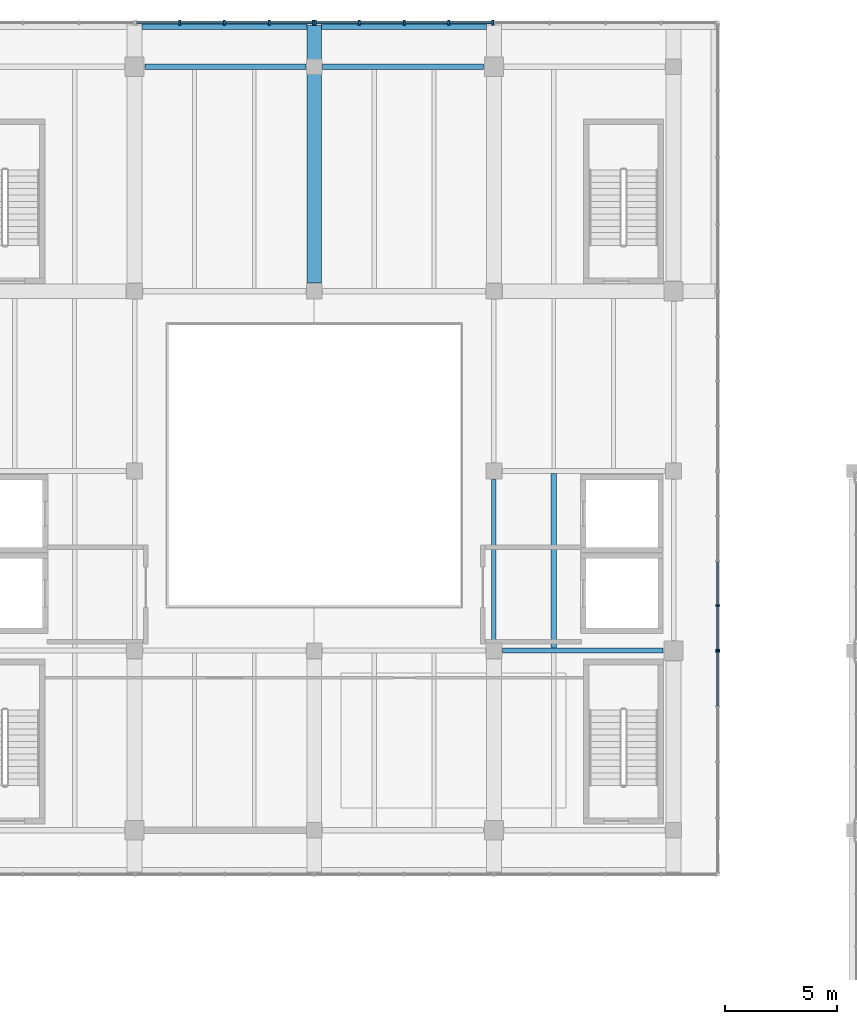
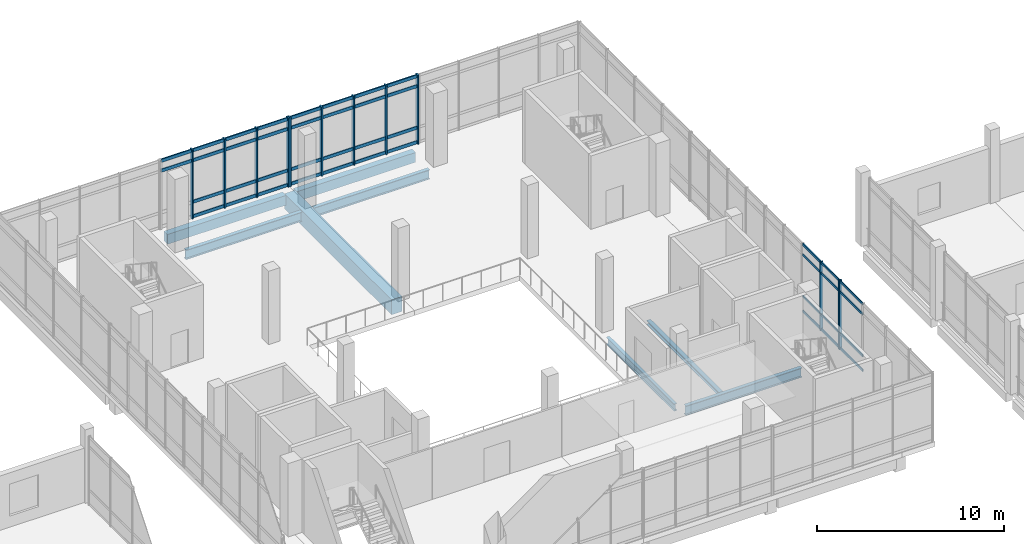
# One storey, part 20 of 47: 54 members, 8 beams, 4 elements without a shape of their own.
"""IFC4 building model written with IfcOpenShell, lengths in metres."""

from ifc_helpers import new_model, si_unit, direction, frame, origin, origin_2d, place, context, subcontext, project, spatial, rectangle, i_section, extrude, material, material_profile, profile_set, type_object, element, aggregate, save


model = new_model("IFC4")

# Units and contexts
model_context = context("Model", 3, precision=1e-05, world=origin(), true_north=direction((0.0, 1.0)))
body_context = subcontext(model_context, "Body", "Model", "MODEL_VIEW")
ifc_project = project(units=[si_unit("LENGTHUNIT", "METRE"), si_unit("AREAUNIT", "SQUARE_METRE"), si_unit("VOLUMEUNIT", "CUBIC_METRE"), si_unit("PLANEANGLEUNIT", "RADIAN"), si_unit("MASSUNIT", "GRAM", prefix="KILO")], contexts=[model_context])

# Site, building, storey
site_placement = place(None, origin())
site = spatial("IfcSite", under=ifc_project, at=site_placement, CompositionType="ELEMENT")
building_placement = place(site_placement, origin())
building = spatial("IfcBuilding", under=site, at=building_placement, Name="Pecanmere Concourse Central Library", CompositionType="ELEMENT")
storey_placement = place(building_placement, frame((0.0, 0.0, 15.300048828125)))
storey = spatial("IfcBuildingStorey", under=building, at=storey_placement, Name="L04", CompositionType="ELEMENT", Elevation=15.300048828125)

# Curtain wall, member
ifc_material_1 = material(Name="Anodized bronze aluminium alloy 6063-T6", Category="aluminium")
curtain_wall_type_1 = type_object("IfcCurtainWallType", Name="CW_PLUMB_BANDED", PredefinedType="USERDEFINED", material=ifc_material_1)
curtain_wall_1_placement = place(storey_placement, origin())
curtain_wall_1 = element("IfcCurtainWall", 1, at=curtain_wall_1_placement, inside=storey, type_object=curtain_wall_type_1, Name="Unitised Curtain Wall CW-02 L04-046", ObjectType="UNITISED CURTAIN WALL", PredefinedType="USERDEFINED")
ifc_material_2 = material(Name="Anodized bronze aluminium alloy 6063-T6", Category="aluminium")
ifc_material_profile_1 = material_profile(ifc_material_2, rectangle(XDim=0.06494140625, YDim=0.179931640625, at=origin_2d()), Name="AL 65x180")
ifc_profile_set_1 = profile_set([ifc_material_profile_1], Name="Anodized bronze aluminium alloy 6063-T6")
member_type_1 = type_object("IfcMemberType", Name="CWM_180x65", PredefinedType="MULLION", material=ifc_profile_set_1)
member_1_placement = place(storey_placement, frame((105.96142578125, 97.96240234375, 0.0), z_axis=(0.0, 0.0, 1.0), x_axis=(0.0, 1.0, 0.0)))
member_1 = element("IfcMember", 2, at=member_1_placement, type_object=member_type_1, Name="CW-02 Mullion 5", PredefinedType="MULLION", context=body_context, shape_type="SweptSolid", body=[
    extrude(rectangle(XDim=0.06494140625, YDim=0.179931640625, at=origin_2d()), origin(), (0.0, 0.0, 1.0), 4.52001953125),
])

# Curtain wall, members
curtain_wall_2_placement = place(storey_placement, origin())
curtain_wall_2 = element("IfcCurtainWall", 3, at=curtain_wall_2_placement, inside=storey, type_object=curtain_wall_type_1, Name="Unitised Curtain Wall CW-02 L04-047", ObjectType="UNITISED CURTAIN WALL", PredefinedType="USERDEFINED")
member_2_placement = place(storey_placement, frame((105.96142578125, 98.03759765625, 0.0), z_axis=(0.0, 0.0, 1.0), x_axis=(0.0, 1.0, 0.0)))
member_2 = element("IfcMember", 4, at=member_2_placement, type_object=member_type_1, Name="CW-02 Mullion 1", PredefinedType="MULLION", context=body_context, shape_type="SweptSolid", body=[
    extrude(rectangle(XDim=0.06494140625, YDim=0.179931640625, at=origin_2d()), origin(), (0.0, 0.0, 1.0), 4.52001953125),
])
member_3_placement = place(storey_placement, frame((105.96142578125, 100.00244140625, 0.0), z_axis=(0.0, 0.0, 1.0), x_axis=(0.0, 1.0, 0.0)))
member_3 = element("IfcMember", 5, at=member_3_placement, type_object=member_type_1, Name="CW-02 Mullion 2", PredefinedType="MULLION", context=body_context, shape_type="SweptSolid", body=[
    extrude(rectangle(XDim=0.06494140625, YDim=0.179931640625, at=origin_2d()), origin(), (0.0, 0.0, 1.0), 4.52001953125),
])

ifc_material_3 = material(Name="Anodized bronze aluminium alloy 6063-T6", Category="aluminium")
curtain_wall_type_2 = type_object("IfcCurtainWallType", Name="CW_PORTAL_CLEAR", PredefinedType="USERDEFINED", material=ifc_material_3)
curtain_wall_3_placement = place(storey_placement, origin())
curtain_wall_3 = element("IfcCurtainWall", 6, at=curtain_wall_3_placement, inside=storey, type_object=curtain_wall_type_2, Name="Unitised Curtain Wall CW-03 L04-039", ObjectType="UNITISED CURTAIN WALL", PredefinedType="USERDEFINED")
ifc_material_4 = material(Name="Anodized bronze aluminium alloy 6063-T6", Category="aluminium")
ifc_material_profile_2 = material_profile(ifc_material_4, rectangle(XDim=0.0849609375, YDim=0.239990234375, at=origin_2d()), Name="AL 85x240")
ifc_profile_set_2 = profile_set([ifc_material_profile_2], Name="Anodized bronze aluminium alloy 6063-T6")
member_type_2 = type_object("IfcMemberType", Name="CWM_240x85", PredefinedType="MULLION", material=ifc_profile_set_2)
member_4_placement = place(storey_placement, frame((95.952392578125, 125.96142578125, 0.0), z_axis=(0.0, 0.0, 1.0), x_axis=(-1.0, 0.0, 0.0)))
member_4 = element("IfcMember", 7, at=member_4_placement, type_object=member_type_2, Name="CW-03 Mullion 1", PredefinedType="MULLION", context=body_context, shape_type="SweptSolid", body=[
    extrude(rectangle(XDim=0.0849609375, YDim=0.239990234375, at=origin_2d()), origin(), (0.0, 0.0, 1.0), 4.52001953125),
])
member_5_placement = place(storey_placement, frame((93.99755859375, 125.96142578125, 0.0), z_axis=(0.0, 0.0, 1.0), x_axis=(-1.0, 0.0, 0.0)))
member_5 = element("IfcMember", 8, at=member_5_placement, type_object=member_type_2, Name="CW-03 Mullion 2", PredefinedType="MULLION", context=body_context, shape_type="SweptSolid", body=[
    extrude(rectangle(XDim=0.0849609375, YDim=0.239990234375, at=origin_2d()), origin(), (0.0, 0.0, 1.0), 4.52001953125),
])
member_6_placement = place(storey_placement, frame((92.0, 125.96142578125, 0.0), z_axis=(0.0, 0.0, 1.0), x_axis=(-1.0, 0.0, 0.0)))
member_6 = element("IfcMember", 9, at=member_6_placement, type_object=member_type_2, Name="CW-03 Mullion 3", PredefinedType="MULLION", context=body_context, shape_type="SweptSolid", body=[
    extrude(rectangle(XDim=0.0849609375, YDim=0.239990234375, at=origin_2d()), origin(), (0.0, 0.0, 1.0), 4.52001953125),
])
member_7_placement = place(storey_placement, frame((90.00244140625, 125.96142578125, 0.0), z_axis=(0.0, 0.0, 1.0), x_axis=(-1.0, 0.0, 0.0)))
member_7 = element("IfcMember", 10, at=member_7_placement, type_object=member_type_2, Name="CW-03 Mullion 4", PredefinedType="MULLION", context=body_context, shape_type="SweptSolid", body=[
    extrude(rectangle(XDim=0.0849609375, YDim=0.239990234375, at=origin_2d()), origin(), (0.0, 0.0, 1.0), 4.52001953125),
])
member_8_placement = place(storey_placement, frame((88.047607421875, 125.96142578125, 0.0), z_axis=(0.0, 0.0, 1.0), x_axis=(-1.0, 0.0, 0.0)))
member_8 = element("IfcMember", 11, at=member_8_placement, type_object=member_type_2, Name="CW-03 Mullion 5", PredefinedType="MULLION", context=body_context, shape_type="SweptSolid", body=[
    extrude(rectangle(XDim=0.0849609375, YDim=0.239990234375, at=origin_2d()), origin(), (0.0, 0.0, 1.0), 4.52001953125),
])

curtain_wall_4_placement = place(storey_placement, origin())
curtain_wall_4 = element("IfcCurtainWall", 12, at=curtain_wall_4_placement, inside=storey, type_object=curtain_wall_type_2, Name="Unitised Curtain Wall CW-03 L04-040", ObjectType="UNITISED CURTAIN WALL", PredefinedType="USERDEFINED")
member_9_placement = place(storey_placement, frame((87.952392578125, 125.96142578125, 0.0), z_axis=(0.0, 0.0, 1.0), x_axis=(-1.0, 0.0, 0.0)))
member_9 = element("IfcMember", 13, at=member_9_placement, type_object=member_type_2, Name="CW-03 Mullion 1", PredefinedType="MULLION", context=body_context, shape_type="SweptSolid", body=[
    extrude(rectangle(XDim=0.0849609375, YDim=0.239990234375, at=origin_2d()), origin(), (0.0, 0.0, 1.0), 4.52001953125),
])
member_10_placement = place(storey_placement, frame((85.99755859375, 125.96142578125, 0.0), z_axis=(0.0, 0.0, 1.0), x_axis=(-1.0, 0.0, 0.0)))
member_10 = element("IfcMember", 14, at=member_10_placement, type_object=member_type_2, Name="CW-03 Mullion 2", PredefinedType="MULLION", context=body_context, shape_type="SweptSolid", body=[
    extrude(rectangle(XDim=0.0849609375, YDim=0.239990234375, at=origin_2d()), origin(), (0.0, 0.0, 1.0), 4.52001953125),
])
member_11_placement = place(storey_placement, frame((84.0, 125.96142578125, 0.0), z_axis=(0.0, 0.0, 1.0), x_axis=(-1.0, 0.0, 0.0)))
member_11 = element("IfcMember", 15, at=member_11_placement, type_object=member_type_2, Name="CW-03 Mullion 3", PredefinedType="MULLION", context=body_context, shape_type="SweptSolid", body=[
    extrude(rectangle(XDim=0.0849609375, YDim=0.239990234375, at=origin_2d()), origin(), (0.0, 0.0, 1.0), 4.52001953125),
])
member_12_placement = place(storey_placement, frame((82.00244140625, 125.96142578125, 0.0), z_axis=(0.0, 0.0, 1.0), x_axis=(-1.0, 0.0, 0.0)))
member_12 = element("IfcMember", 16, at=member_12_placement, type_object=member_type_2, Name="CW-03 Mullion 4", PredefinedType="MULLION", context=body_context, shape_type="SweptSolid", body=[
    extrude(rectangle(XDim=0.0849609375, YDim=0.239990234375, at=origin_2d()), origin(), (0.0, 0.0, 1.0), 4.52001953125),
])

# Member
ifc_material_5 = material(Name="Anodized bronze aluminium alloy 6063-T6", Category="aluminium")
ifc_material_profile_3 = material_profile(ifc_material_5, rectangle(XDim=0.06005859375, YDim=0.159912109375, at=origin_2d()), Name="AL 60x160")
ifc_profile_set_3 = profile_set([ifc_material_profile_3], Name="Anodized bronze aluminium alloy 6063-T6")
member_type_3 = type_object("IfcMemberType", Name="CWT_160x60", PredefinedType="USERDEFINED", material=ifc_profile_set_3)
member_13_placement = place(storey_placement, frame((105.96142578125, 95.54833984375, 0.079833984375), z_axis=(0.0, 1.0, 0.0), x_axis=(-1.0, 0.0, 0.0)))
member_13 = element("IfcMember", 17, at=member_13_placement, type_object=member_type_3, Name="CW-02 Transom 4.1", ObjectType="TRANSOM", PredefinedType="USERDEFINED", context=body_context, shape_type="SweptSolid", body=[
    extrude(rectangle(XDim=0.06005859375, YDim=0.159912109375, at=origin_2d()), origin(), (0.0, 0.0, 1.0), 2.381591796875),
])

member_14_placement = place(storey_placement, frame((105.96142578125, 95.54833984375, 1.050048828125), z_axis=(0.0, 1.0, 0.0), x_axis=(-1.0, 0.0, 0.0)))
member_14 = element("IfcMember", 18, at=member_14_placement, type_object=member_type_3, Name="CW-02 Transom 4.2", ObjectType="TRANSOM", PredefinedType="USERDEFINED", context=body_context, shape_type="SweptSolid", body=[
    extrude(rectangle(XDim=0.06005859375, YDim=0.159912109375, at=origin_2d()), origin(), (0.0, 0.0, 1.0), 2.381591796875),
])

member_15_placement = place(storey_placement, frame((105.96142578125, 95.54833984375, 3.77001953125), z_axis=(0.0, 1.0, 0.0), x_axis=(-1.0, 0.0, 0.0)))
member_15 = element("IfcMember", 19, at=member_15_placement, type_object=member_type_3, Name="CW-02 Transom 4.3", ObjectType="TRANSOM", PredefinedType="USERDEFINED", context=body_context, shape_type="SweptSolid", body=[
    extrude(rectangle(XDim=0.06005859375, YDim=0.159912109375, at=origin_2d()), origin(), (0.0, 0.0, 1.0), 2.381591796875),
])

member_16_placement = place(storey_placement, frame((105.96142578125, 95.54833984375, 4.43994140625), z_axis=(0.0, 1.0, 0.0), x_axis=(-1.0, 0.0, 0.0)))
member_16 = element("IfcMember", 20, at=member_16_placement, type_object=member_type_3, Name="CW-02 Transom 4.4", ObjectType="TRANSOM", PredefinedType="USERDEFINED", context=body_context, shape_type="SweptSolid", body=[
    extrude(rectangle(XDim=0.06005859375, YDim=0.159912109375, at=origin_2d()), origin(), (0.0, 0.0, 1.0), 2.381591796875),
])

aggregate(curtain_wall_1, [member_1, member_13, member_14, member_15, member_16])

member_17_placement = place(storey_placement, frame((105.96142578125, 98.070068359375, 0.079833984375), z_axis=(0.0, 1.0, 0.0), x_axis=(-1.0, 0.0, 0.0)))
member_17 = element("IfcMember", 21, at=member_17_placement, type_object=member_type_3, Name="CW-02 Transom 1.1", ObjectType="TRANSOM", PredefinedType="USERDEFINED", context=body_context, shape_type="SweptSolid", body=[
    extrude(rectangle(XDim=0.06005859375, YDim=0.159912109375, at=origin_2d()), origin(), (0.0, 0.0, 1.0), 1.89990234375),
])

member_18_placement = place(storey_placement, frame((105.96142578125, 98.070068359375, 1.050048828125), z_axis=(0.0, 1.0, 0.0), x_axis=(-1.0, 0.0, 0.0)))
member_18 = element("IfcMember", 22, at=member_18_placement, type_object=member_type_3, Name="CW-02 Transom 1.2", ObjectType="TRANSOM", PredefinedType="USERDEFINED", context=body_context, shape_type="SweptSolid", body=[
    extrude(rectangle(XDim=0.06005859375, YDim=0.159912109375, at=origin_2d()), origin(), (0.0, 0.0, 1.0), 1.89990234375),
])

member_19_placement = place(storey_placement, frame((105.96142578125, 98.070068359375, 3.77001953125), z_axis=(0.0, 1.0, 0.0), x_axis=(-1.0, 0.0, 0.0)))
member_19 = element("IfcMember", 23, at=member_19_placement, type_object=member_type_3, Name="CW-02 Transom 1.3", ObjectType="TRANSOM", PredefinedType="USERDEFINED", context=body_context, shape_type="SweptSolid", body=[
    extrude(rectangle(XDim=0.06005859375, YDim=0.159912109375, at=origin_2d()), origin(), (0.0, 0.0, 1.0), 1.89990234375),
])

member_20_placement = place(storey_placement, frame((105.96142578125, 98.070068359375, 4.43994140625), z_axis=(0.0, 1.0, 0.0), x_axis=(-1.0, 0.0, 0.0)))
member_20 = element("IfcMember", 24, at=member_20_placement, type_object=member_type_3, Name="CW-02 Transom 1.4", ObjectType="TRANSOM", PredefinedType="USERDEFINED", context=body_context, shape_type="SweptSolid", body=[
    extrude(rectangle(XDim=0.06005859375, YDim=0.159912109375, at=origin_2d()), origin(), (0.0, 0.0, 1.0), 1.89990234375),
])

member_21_placement = place(storey_placement, frame((105.96142578125, 100.034912109375, 0.079833984375), z_axis=(0.0, 1.0, 0.0), x_axis=(-1.0, 0.0, 0.0)))
member_21 = element("IfcMember", 25, at=member_21_placement, type_object=member_type_3, Name="CW-02 Transom 2.1", ObjectType="TRANSOM", PredefinedType="USERDEFINED", context=body_context, shape_type="SweptSolid", body=[
    extrude(rectangle(XDim=0.06005859375, YDim=0.159912109375, at=origin_2d()), origin(), (0.0, 0.0, 1.0), 1.9326171875),
])

member_22_placement = place(storey_placement, frame((105.96142578125, 100.034912109375, 1.050048828125), z_axis=(0.0, 1.0, 0.0), x_axis=(-1.0, 0.0, 0.0)))
member_22 = element("IfcMember", 26, at=member_22_placement, type_object=member_type_3, Name="CW-02 Transom 2.2", ObjectType="TRANSOM", PredefinedType="USERDEFINED", context=body_context, shape_type="SweptSolid", body=[
    extrude(rectangle(XDim=0.06005859375, YDim=0.159912109375, at=origin_2d()), origin(), (0.0, 0.0, 1.0), 1.9326171875),
])

member_23_placement = place(storey_placement, frame((105.96142578125, 100.034912109375, 3.77001953125), z_axis=(0.0, 1.0, 0.0), x_axis=(-1.0, 0.0, 0.0)))
member_23 = element("IfcMember", 27, at=member_23_placement, type_object=member_type_3, Name="CW-02 Transom 2.3", ObjectType="TRANSOM", PredefinedType="USERDEFINED", context=body_context, shape_type="SweptSolid", body=[
    extrude(rectangle(XDim=0.06005859375, YDim=0.159912109375, at=origin_2d()), origin(), (0.0, 0.0, 1.0), 1.9326171875),
])

member_24_placement = place(storey_placement, frame((105.96142578125, 100.034912109375, 4.43994140625), z_axis=(0.0, 1.0, 0.0), x_axis=(-1.0, 0.0, 0.0)))
member_24 = element("IfcMember", 28, at=member_24_placement, type_object=member_type_3, Name="CW-02 Transom 2.4", ObjectType="TRANSOM", PredefinedType="USERDEFINED", context=body_context, shape_type="SweptSolid", body=[
    extrude(rectangle(XDim=0.06005859375, YDim=0.159912109375, at=origin_2d()), origin(), (0.0, 0.0, 1.0), 1.9326171875),
])

aggregate(curtain_wall_2, [member_2, member_3, member_17, member_18, member_19, member_20, member_21, member_22, member_23, member_24])

ifc_material_6 = material(Name="Anodized bronze aluminium alloy 6063-T6", Category="aluminium")
ifc_material_profile_4 = material_profile(ifc_material_6, rectangle(XDim=0.074951171875, YDim=0.2099609375, at=origin_2d()), Name="AL 75x210")
ifc_profile_set_4 = profile_set([ifc_material_profile_4], Name="Anodized bronze aluminium alloy 6063-T6")
member_type_4 = type_object("IfcMemberType", Name="CWT_210x75", PredefinedType="USERDEFINED", material=ifc_profile_set_4)
member_25_placement = place(storey_placement, frame((95.909912109375, 125.96142578125, 0.10498046875), z_axis=(-1.0, 0.0, 0.0), x_axis=(0.0, -1.0, 0.0)))
member_25 = element("IfcMember", 29, at=member_25_placement, type_object=member_type_4, Name="CW-03 Transom 1.1", ObjectType="TRANSOM", PredefinedType="USERDEFINED", context=body_context, shape_type="SweptSolid", body=[
    extrude(rectangle(XDim=0.074951171875, YDim=0.2099609375, at=origin_2d()), origin(), (0.0, 0.0, 1.0), 1.869873046875),
])

member_26_placement = place(storey_placement, frame((95.909912109375, 125.96142578125, 1.050048828125), z_axis=(-1.0, 0.0, 0.0), x_axis=(0.0, -1.0, 0.0)))
member_26 = element("IfcMember", 30, at=member_26_placement, type_object=member_type_4, Name="CW-03 Transom 1.2", ObjectType="TRANSOM", PredefinedType="USERDEFINED", context=body_context, shape_type="SweptSolid", body=[
    extrude(rectangle(XDim=0.074951171875, YDim=0.2099609375, at=origin_2d()), origin(), (0.0, 0.0, 1.0), 1.869873046875),
])

member_27_placement = place(storey_placement, frame((95.909912109375, 125.96142578125, 3.77001953125), z_axis=(-1.0, 0.0, 0.0), x_axis=(0.0, -1.0, 0.0)))
member_27 = element("IfcMember", 31, at=member_27_placement, type_object=member_type_4, Name="CW-03 Transom 1.3", ObjectType="TRANSOM", PredefinedType="USERDEFINED", context=body_context, shape_type="SweptSolid", body=[
    extrude(rectangle(XDim=0.074951171875, YDim=0.2099609375, at=origin_2d()), origin(), (0.0, 0.0, 1.0), 1.869873046875),
])

member_28_placement = place(storey_placement, frame((95.909912109375, 125.96142578125, 4.4150390625), z_axis=(-1.0, 0.0, 0.0), x_axis=(0.0, -1.0, 0.0)))
member_28 = element("IfcMember", 32, at=member_28_placement, type_object=member_type_4, Name="CW-03 Transom 1.4", ObjectType="TRANSOM", PredefinedType="USERDEFINED", context=body_context, shape_type="SweptSolid", body=[
    extrude(rectangle(XDim=0.074951171875, YDim=0.2099609375, at=origin_2d()), origin(), (0.0, 0.0, 1.0), 1.869873046875),
])

member_29_placement = place(storey_placement, frame((93.955078125, 125.96142578125, 0.10498046875), z_axis=(-1.0, 0.0, 0.0), x_axis=(0.0, -1.0, 0.0)))
member_29 = element("IfcMember", 33, at=member_29_placement, type_object=member_type_4, Name="CW-03 Transom 2.1", ObjectType="TRANSOM", PredefinedType="USERDEFINED", context=body_context, shape_type="SweptSolid", body=[
    extrude(rectangle(XDim=0.074951171875, YDim=0.2099609375, at=origin_2d()), origin(), (0.0, 0.0, 1.0), 1.91259765625),
])

member_30_placement = place(storey_placement, frame((93.955078125, 125.96142578125, 1.050048828125), z_axis=(-1.0, 0.0, 0.0), x_axis=(0.0, -1.0, 0.0)))
member_30 = element("IfcMember", 34, at=member_30_placement, type_object=member_type_4, Name="CW-03 Transom 2.2", ObjectType="TRANSOM", PredefinedType="USERDEFINED", context=body_context, shape_type="SweptSolid", body=[
    extrude(rectangle(XDim=0.074951171875, YDim=0.2099609375, at=origin_2d()), origin(), (0.0, 0.0, 1.0), 1.91259765625),
])

member_31_placement = place(storey_placement, frame((93.955078125, 125.96142578125, 3.77001953125), z_axis=(-1.0, 0.0, 0.0), x_axis=(0.0, -1.0, 0.0)))
member_31 = element("IfcMember", 35, at=member_31_placement, type_object=member_type_4, Name="CW-03 Transom 2.3", ObjectType="TRANSOM", PredefinedType="USERDEFINED", context=body_context, shape_type="SweptSolid", body=[
    extrude(rectangle(XDim=0.074951171875, YDim=0.2099609375, at=origin_2d()), origin(), (0.0, 0.0, 1.0), 1.91259765625),
])

member_32_placement = place(storey_placement, frame((93.955078125, 125.96142578125, 4.4150390625), z_axis=(-1.0, 0.0, 0.0), x_axis=(0.0, -1.0, 0.0)))
member_32 = element("IfcMember", 36, at=member_32_placement, type_object=member_type_4, Name="CW-03 Transom 2.4", ObjectType="TRANSOM", PredefinedType="USERDEFINED", context=body_context, shape_type="SweptSolid", body=[
    extrude(rectangle(XDim=0.074951171875, YDim=0.2099609375, at=origin_2d()), origin(), (0.0, 0.0, 1.0), 1.91259765625),
])

member_33_placement = place(storey_placement, frame((91.95751953125, 125.96142578125, 0.10498046875), z_axis=(-1.0, 0.0, 0.0), x_axis=(0.0, -1.0, 0.0)))
member_33 = element("IfcMember", 37, at=member_33_placement, type_object=member_type_4, Name="CW-03 Transom 3.1", ObjectType="TRANSOM", PredefinedType="USERDEFINED", context=body_context, shape_type="SweptSolid", body=[
    extrude(rectangle(XDim=0.074951171875, YDim=0.2099609375, at=origin_2d()), origin(), (0.0, 0.0, 1.0), 1.91259765625),
])

member_34_placement = place(storey_placement, frame((91.95751953125, 125.96142578125, 1.050048828125), z_axis=(-1.0, 0.0, 0.0), x_axis=(0.0, -1.0, 0.0)))
member_34 = element("IfcMember", 38, at=member_34_placement, type_object=member_type_4, Name="CW-03 Transom 3.2", ObjectType="TRANSOM", PredefinedType="USERDEFINED", context=body_context, shape_type="SweptSolid", body=[
    extrude(rectangle(XDim=0.074951171875, YDim=0.2099609375, at=origin_2d()), origin(), (0.0, 0.0, 1.0), 1.91259765625),
])

member_35_placement = place(storey_placement, frame((91.95751953125, 125.96142578125, 3.77001953125), z_axis=(-1.0, 0.0, 0.0), x_axis=(0.0, -1.0, 0.0)))
member_35 = element("IfcMember", 39, at=member_35_placement, type_object=member_type_4, Name="CW-03 Transom 3.3", ObjectType="TRANSOM", PredefinedType="USERDEFINED", context=body_context, shape_type="SweptSolid", body=[
    extrude(rectangle(XDim=0.074951171875, YDim=0.2099609375, at=origin_2d()), origin(), (0.0, 0.0, 1.0), 1.91259765625),
])

member_36_placement = place(storey_placement, frame((91.95751953125, 125.96142578125, 4.4150390625), z_axis=(-1.0, 0.0, 0.0), x_axis=(0.0, -1.0, 0.0)))
member_36 = element("IfcMember", 40, at=member_36_placement, type_object=member_type_4, Name="CW-03 Transom 3.4", ObjectType="TRANSOM", PredefinedType="USERDEFINED", context=body_context, shape_type="SweptSolid", body=[
    extrude(rectangle(XDim=0.074951171875, YDim=0.2099609375, at=origin_2d()), origin(), (0.0, 0.0, 1.0), 1.91259765625),
])

member_37_placement = place(storey_placement, frame((89.9599609375, 125.96142578125, 0.10498046875), z_axis=(-1.0, 0.0, 0.0), x_axis=(0.0, -1.0, 0.0)))
member_37 = element("IfcMember", 41, at=member_37_placement, type_object=member_type_4, Name="CW-03 Transom 4.1", ObjectType="TRANSOM", PredefinedType="USERDEFINED", context=body_context, shape_type="SweptSolid", body=[
    extrude(rectangle(XDim=0.074951171875, YDim=0.2099609375, at=origin_2d()), origin(), (0.0, 0.0, 1.0), 1.869873046875),
])

member_38_placement = place(storey_placement, frame((89.9599609375, 125.96142578125, 1.050048828125), z_axis=(-1.0, 0.0, 0.0), x_axis=(0.0, -1.0, 0.0)))
member_38 = element("IfcMember", 42, at=member_38_placement, type_object=member_type_4, Name="CW-03 Transom 4.2", ObjectType="TRANSOM", PredefinedType="USERDEFINED", context=body_context, shape_type="SweptSolid", body=[
    extrude(rectangle(XDim=0.074951171875, YDim=0.2099609375, at=origin_2d()), origin(), (0.0, 0.0, 1.0), 1.869873046875),
])

member_39_placement = place(storey_placement, frame((89.9599609375, 125.96142578125, 3.77001953125), z_axis=(-1.0, 0.0, 0.0), x_axis=(0.0, -1.0, 0.0)))
member_39 = element("IfcMember", 43, at=member_39_placement, type_object=member_type_4, Name="CW-03 Transom 4.3", ObjectType="TRANSOM", PredefinedType="USERDEFINED", context=body_context, shape_type="SweptSolid", body=[
    extrude(rectangle(XDim=0.074951171875, YDim=0.2099609375, at=origin_2d()), origin(), (0.0, 0.0, 1.0), 1.869873046875),
])

member_40_placement = place(storey_placement, frame((89.9599609375, 125.96142578125, 4.4150390625), z_axis=(-1.0, 0.0, 0.0), x_axis=(0.0, -1.0, 0.0)))
member_40 = element("IfcMember", 44, at=member_40_placement, type_object=member_type_4, Name="CW-03 Transom 4.4", ObjectType="TRANSOM", PredefinedType="USERDEFINED", context=body_context, shape_type="SweptSolid", body=[
    extrude(rectangle(XDim=0.074951171875, YDim=0.2099609375, at=origin_2d()), origin(), (0.0, 0.0, 1.0), 1.869873046875),
])

aggregate(curtain_wall_3, [member_4, member_5, member_6, member_7, member_8, member_25, member_26, member_27, member_28, member_29, member_30, member_31, member_32, member_33, member_34, member_35, member_36, member_37, member_38, member_39, member_40])

member_41_placement = place(storey_placement, frame((87.909912109375, 125.96142578125, 0.10498046875), z_axis=(-1.0, 0.0, 0.0), x_axis=(0.0, -1.0, 0.0)))
member_41 = element("IfcMember", 45, at=member_41_placement, type_object=member_type_4, Name="CW-03 Transom 1.1", ObjectType="TRANSOM", PredefinedType="USERDEFINED", context=body_context, shape_type="SweptSolid", body=[
    extrude(rectangle(XDim=0.074951171875, YDim=0.2099609375, at=origin_2d()), origin(), (0.0, 0.0, 1.0), 1.869873046875),
])

member_42_placement = place(storey_placement, frame((87.909912109375, 125.96142578125, 1.050048828125), z_axis=(-1.0, 0.0, 0.0), x_axis=(0.0, -1.0, 0.0)))
member_42 = element("IfcMember", 46, at=member_42_placement, type_object=member_type_4, Name="CW-03 Transom 1.2", ObjectType="TRANSOM", PredefinedType="USERDEFINED", context=body_context, shape_type="SweptSolid", body=[
    extrude(rectangle(XDim=0.074951171875, YDim=0.2099609375, at=origin_2d()), origin(), (0.0, 0.0, 1.0), 1.869873046875),
])

member_43_placement = place(storey_placement, frame((87.909912109375, 125.96142578125, 3.77001953125), z_axis=(-1.0, 0.0, 0.0), x_axis=(0.0, -1.0, 0.0)))
member_43 = element("IfcMember", 47, at=member_43_placement, type_object=member_type_4, Name="CW-03 Transom 1.3", ObjectType="TRANSOM", PredefinedType="USERDEFINED", context=body_context, shape_type="SweptSolid", body=[
    extrude(rectangle(XDim=0.074951171875, YDim=0.2099609375, at=origin_2d()), origin(), (0.0, 0.0, 1.0), 1.869873046875),
])

member_44_placement = place(storey_placement, frame((87.909912109375, 125.96142578125, 4.4150390625), z_axis=(-1.0, 0.0, 0.0), x_axis=(0.0, -1.0, 0.0)))
member_44 = element("IfcMember", 48, at=member_44_placement, type_object=member_type_4, Name="CW-03 Transom 1.4", ObjectType="TRANSOM", PredefinedType="USERDEFINED", context=body_context, shape_type="SweptSolid", body=[
    extrude(rectangle(XDim=0.074951171875, YDim=0.2099609375, at=origin_2d()), origin(), (0.0, 0.0, 1.0), 1.869873046875),
])

member_45_placement = place(storey_placement, frame((85.955078125, 125.96142578125, 0.10498046875), z_axis=(-1.0, 0.0, 0.0), x_axis=(0.0, -1.0, 0.0)))
member_45 = element("IfcMember", 49, at=member_45_placement, type_object=member_type_4, Name="CW-03 Transom 2.1", ObjectType="TRANSOM", PredefinedType="USERDEFINED", context=body_context, shape_type="SweptSolid", body=[
    extrude(rectangle(XDim=0.074951171875, YDim=0.2099609375, at=origin_2d()), origin(), (0.0, 0.0, 1.0), 1.91259765625),
])

member_46_placement = place(storey_placement, frame((85.955078125, 125.96142578125, 1.050048828125), z_axis=(-1.0, 0.0, 0.0), x_axis=(0.0, -1.0, 0.0)))
member_46 = element("IfcMember", 50, at=member_46_placement, type_object=member_type_4, Name="CW-03 Transom 2.2", ObjectType="TRANSOM", PredefinedType="USERDEFINED", context=body_context, shape_type="SweptSolid", body=[
    extrude(rectangle(XDim=0.074951171875, YDim=0.2099609375, at=origin_2d()), origin(), (0.0, 0.0, 1.0), 1.91259765625),
])

member_47_placement = place(storey_placement, frame((85.955078125, 125.96142578125, 3.77001953125), z_axis=(-1.0, 0.0, 0.0), x_axis=(0.0, -1.0, 0.0)))
member_47 = element("IfcMember", 51, at=member_47_placement, type_object=member_type_4, Name="CW-03 Transom 2.3", ObjectType="TRANSOM", PredefinedType="USERDEFINED", context=body_context, shape_type="SweptSolid", body=[
    extrude(rectangle(XDim=0.074951171875, YDim=0.2099609375, at=origin_2d()), origin(), (0.0, 0.0, 1.0), 1.91259765625),
])

member_48_placement = place(storey_placement, frame((85.955078125, 125.96142578125, 4.4150390625), z_axis=(-1.0, 0.0, 0.0), x_axis=(0.0, -1.0, 0.0)))
member_48 = element("IfcMember", 52, at=member_48_placement, type_object=member_type_4, Name="CW-03 Transom 2.4", ObjectType="TRANSOM", PredefinedType="USERDEFINED", context=body_context, shape_type="SweptSolid", body=[
    extrude(rectangle(XDim=0.074951171875, YDim=0.2099609375, at=origin_2d()), origin(), (0.0, 0.0, 1.0), 1.91259765625),
])

member_49_placement = place(storey_placement, frame((83.95751953125, 125.96142578125, 0.10498046875), z_axis=(-1.0, 0.0, 0.0), x_axis=(0.0, -1.0, 0.0)))
member_49 = element("IfcMember", 53, at=member_49_placement, type_object=member_type_4, Name="CW-03 Transom 3.1", ObjectType="TRANSOM", PredefinedType="USERDEFINED", context=body_context, shape_type="SweptSolid", body=[
    extrude(rectangle(XDim=0.074951171875, YDim=0.2099609375, at=origin_2d()), origin(), (0.0, 0.0, 1.0), 1.91259765625),
])

member_50_placement = place(storey_placement, frame((83.95751953125, 125.96142578125, 1.050048828125), z_axis=(-1.0, 0.0, 0.0), x_axis=(0.0, -1.0, 0.0)))
member_50 = element("IfcMember", 54, at=member_50_placement, type_object=member_type_4, Name="CW-03 Transom 3.2", ObjectType="TRANSOM", PredefinedType="USERDEFINED", context=body_context, shape_type="SweptSolid", body=[
    extrude(rectangle(XDim=0.074951171875, YDim=0.2099609375, at=origin_2d()), origin(), (0.0, 0.0, 1.0), 1.91259765625),
])

member_51_placement = place(storey_placement, frame((83.95751953125, 125.96142578125, 3.77001953125), z_axis=(-1.0, 0.0, 0.0), x_axis=(0.0, -1.0, 0.0)))
member_51 = element("IfcMember", 55, at=member_51_placement, type_object=member_type_4, Name="CW-03 Transom 3.3", ObjectType="TRANSOM", PredefinedType="USERDEFINED", context=body_context, shape_type="SweptSolid", body=[
    extrude(rectangle(XDim=0.074951171875, YDim=0.2099609375, at=origin_2d()), origin(), (0.0, 0.0, 1.0), 1.91259765625),
])

member_52_placement = place(storey_placement, frame((83.95751953125, 125.96142578125, 4.4150390625), z_axis=(-1.0, 0.0, 0.0), x_axis=(0.0, -1.0, 0.0)))
member_52 = element("IfcMember", 56, at=member_52_placement, type_object=member_type_4, Name="CW-03 Transom 3.4", ObjectType="TRANSOM", PredefinedType="USERDEFINED", context=body_context, shape_type="SweptSolid", body=[
    extrude(rectangle(XDim=0.074951171875, YDim=0.2099609375, at=origin_2d()), origin(), (0.0, 0.0, 1.0), 1.91259765625),
])

member_53_placement = place(storey_placement, frame((81.9599609375, 125.96142578125, 3.77001953125), z_axis=(-1.0, 0.0, 0.0), x_axis=(0.0, -1.0, 0.0)))
member_53 = element("IfcMember", 57, at=member_53_placement, type_object=member_type_4, Name="CW-03 Transom 4.3", ObjectType="TRANSOM", PredefinedType="USERDEFINED", context=body_context, shape_type="SweptSolid", body=[
    extrude(rectangle(XDim=0.074951171875, YDim=0.2099609375, at=origin_2d()), origin(), (0.0, 0.0, 1.0), 1.869873046875),
])

member_54_placement = place(storey_placement, frame((81.9599609375, 125.96142578125, 4.4150390625), z_axis=(-1.0, 0.0, 0.0), x_axis=(0.0, -1.0, 0.0)))
member_54 = element("IfcMember", 58, at=member_54_placement, type_object=member_type_4, Name="CW-03 Transom 4.4", ObjectType="TRANSOM", PredefinedType="USERDEFINED", context=body_context, shape_type="SweptSolid", body=[
    extrude(rectangle(XDim=0.074951171875, YDim=0.2099609375, at=origin_2d()), origin(), (0.0, 0.0, 1.0), 1.869873046875),
])

aggregate(curtain_wall_4, [member_9, member_10, member_11, member_12, member_41, member_42, member_43, member_44, member_45, member_46, member_47, member_48, member_49, member_50, member_51, member_52, member_53, member_54])

# Beams
ifc_material_7 = material(Name="Concrete C40/50", Category="concrete")
ifc_material_profile_5 = material_profile(ifc_material_7, rectangle(XDim=0.659912109375, YDim=0.97998046875, at=origin_2d()), Name="RC 660x980")
ifc_profile_set_5 = profile_set([ifc_material_profile_5], Name="Concrete C40/50")
beam_type_1 = type_object("IfcBeamType", Name="GRD_660x980", PredefinedType="USERDEFINED", material=ifc_profile_set_5)
beam_1_placement = place(storey_placement, frame((88.0, 114.375, -0.81005859375), z_axis=(0.0, 1.0, 0.0), x_axis=(-1.0, 0.0, 0.0)))
element("IfcBeam", 59, at=beam_1_placement, inside=storey, type_object=beam_type_1, Name="Primary Girder Y L04-2280", ObjectType="GIRDER", PredefinedType="USERDEFINED", context=body_context, shape_type="SweptSolid", body=[
    extrude(rectangle(XDim=0.659912109375, YDim=0.97998046875, at=origin_2d()), origin(), (0.0, 0.0, 1.0), 11.4765625),
])
ifc_material_8 = material(Name="Structural steel ASTM A992 Grade 50", Category="steel")
ifc_material_profile_6 = material_profile(ifc_material_8, i_section(OverallWidth=0.25390625, OverallDepth=0.2529296875, WebThickness=0.008544921875, FlangeThickness=0.01416015625, at=origin_2d()), Name="W250x73")
ifc_profile_set_6 = profile_set([ifc_material_profile_6], Name="Structural steel ASTM A992 Grade 50")
beam_type_2 = type_object("IfcBeamType", Name="SBM_W250x73", PredefinedType="BEAM", material=ifc_profile_set_6)
beam_2_placement = place(storey_placement, frame((98.666748046875, 98.114990234375, -0.446533203125), z_axis=(0.0, 1.0, 0.0), x_axis=(-1.0, 0.0, 0.0)))
element("IfcBeam", 60, at=beam_2_placement, inside=storey, type_object=beam_type_2, Name="Secondary Floor Joist L04-2396", PredefinedType="BEAM", context=body_context, shape_type="SweptSolid", body=[
    extrude(i_section(OverallWidth=0.25390625, OverallDepth=0.2529296875, WebThickness=0.008544921875, FlangeThickness=0.01416015625, at=origin_2d()), origin(), (0.0, 0.0, 1.0), 7.77001953125),
])
ifc_material_9 = material(Name="Structural steel ASTM A992 Grade 50", Category="steel")
ifc_material_profile_7 = material_profile(ifc_material_9, i_section(OverallWidth=0.194091796875, OverallDepth=0.468994140625, WebThickness=0.0126953125, FlangeThickness=0.0205078125, at=origin_2d()), Name="W460x106")
ifc_profile_set_7 = profile_set([ifc_material_profile_7], Name="Structural steel ASTM A992 Grade 50")
beam_type_3 = type_object("IfcBeamType", Name="SBM_W460x106", PredefinedType="USERDEFINED", material=ifc_profile_set_7)
beam_3_placement = place(storey_placement, frame((96.0, 98.375, -0.554443359375), z_axis=(0.0, 1.0, 0.0), x_axis=(-1.0, 0.0, 0.0)))
element("IfcBeam", 61, at=beam_3_placement, inside=storey, type_object=beam_type_3, Name="Primary Girder Y L04-2282", ObjectType="GIRDER", PredefinedType="USERDEFINED", context=body_context, shape_type="SweptSolid", body=[
    extrude(i_section(OverallWidth=0.194091796875, OverallDepth=0.468994140625, WebThickness=0.0126953125, FlangeThickness=0.0205078125, at=origin_2d()), origin(), (0.0, 0.0, 1.0), 7.25),
])
ifc_material_10 = material(Name="Structural steel ASTM A992 Grade 50", Category="steel")
ifc_material_profile_8 = material_profile(ifc_material_10, i_section(OverallWidth=0.22998046875, OverallDepth=0.616943359375, WebThickness=0.01318359375, FlangeThickness=0.022216796875, at=origin_2d()), Name="W610x140")
ifc_profile_set_8 = profile_set([ifc_material_profile_8], Name="Structural steel ASTM A992 Grade 50")
beam_type_4 = type_object("IfcBeamType", Name="SBM_W610x140", PredefinedType="USERDEFINED", material=ifc_profile_set_8)
for number, where, z_axis, x_axis, name in (
    (62, (96.375, 98.0, -0.628662109375), (1.0, 0.0, 0.0), (0.0, 1.0, 0.0), "Primary Girder X L04-2198"),
    (63, (80.4599609375, 124.0, -0.628662109375), (1.0, 0.0, 0.0), (0.0, 1.0, 0.0), "Primary Girder X L04-2218"),
    (64, (88.375, 124.0, -0.628662109375), (1.0, 0.0, 0.0), (0.0, 1.0, 0.0), "Primary Girder X L04-2219"),
):
    element("IfcBeam", number, at=place(storey_placement, frame(where, z_axis=z_axis, x_axis=x_axis)), inside=storey, type_object=beam_type_4, Name=name, ObjectType="GIRDER", PredefinedType="USERDEFINED", context=body_context, shape_type="SweptSolid", body=[
        extrude(i_section(OverallWidth=0.22998046875, OverallDepth=0.616943359375, WebThickness=0.01318359375, FlangeThickness=0.022216796875, at=origin_2d()), origin(), (0.0, 0.0, 1.0), 7.1650390625),
    ])
ifc_material_11 = material(Name="Concrete C40/50", Category="concrete")
ifc_material_profile_9 = material_profile(ifc_material_11, rectangle(XDim=0.3798828125, YDim=0.639892578125, at=origin_2d()), Name="RC 380x640")
ifc_profile_set_9 = profile_set([ifc_material_profile_9], Name="Concrete C40/50")
beam_type_5 = type_object("IfcBeamType", Name="SPB_380x640", PredefinedType="BEAM", material=ifc_profile_set_9)
for number, where, z_axis, x_axis, name in (
    (65, (80.330078125, 125.8515625, -0.64013671875), (1.0, 0.0, 0.0), (0.0, 1.0, 0.0), "Leaning Facade Edge Beam L04-2343"),
    (66, (88.330078125, 125.8515625, -0.64013671875), (1.0, 0.0, 0.0), (0.0, 1.0, 0.0), "Leaning Facade Edge Beam L04-2344"),
):
    element("IfcBeam", number, at=place(storey_placement, frame(where, z_axis=z_axis, x_axis=x_axis)), inside=storey, type_object=beam_type_5, Name=name, PredefinedType="BEAM", context=body_context, shape_type="SweptSolid", body=[
        extrude(rectangle(XDim=0.3798828125, YDim=0.639892578125, at=origin_2d()), origin(), (0.0, 0.0, 1.0), 7.33984375),
    ])

save(model, "model.ifc")
